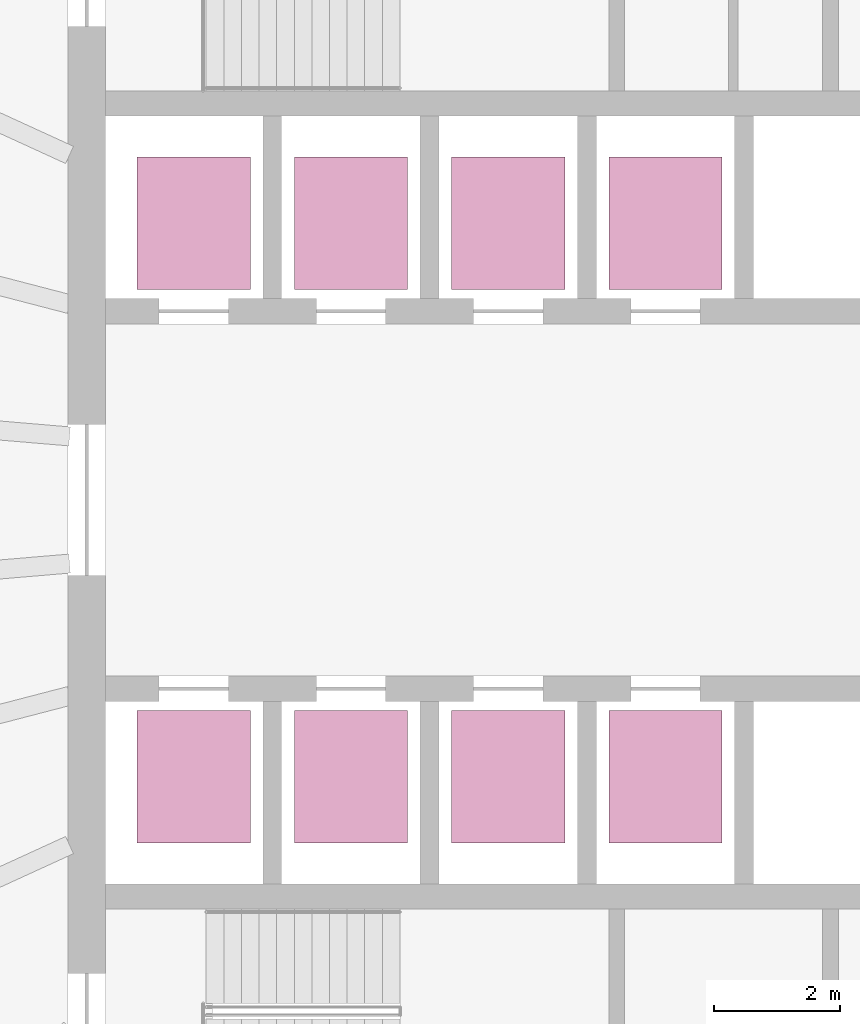
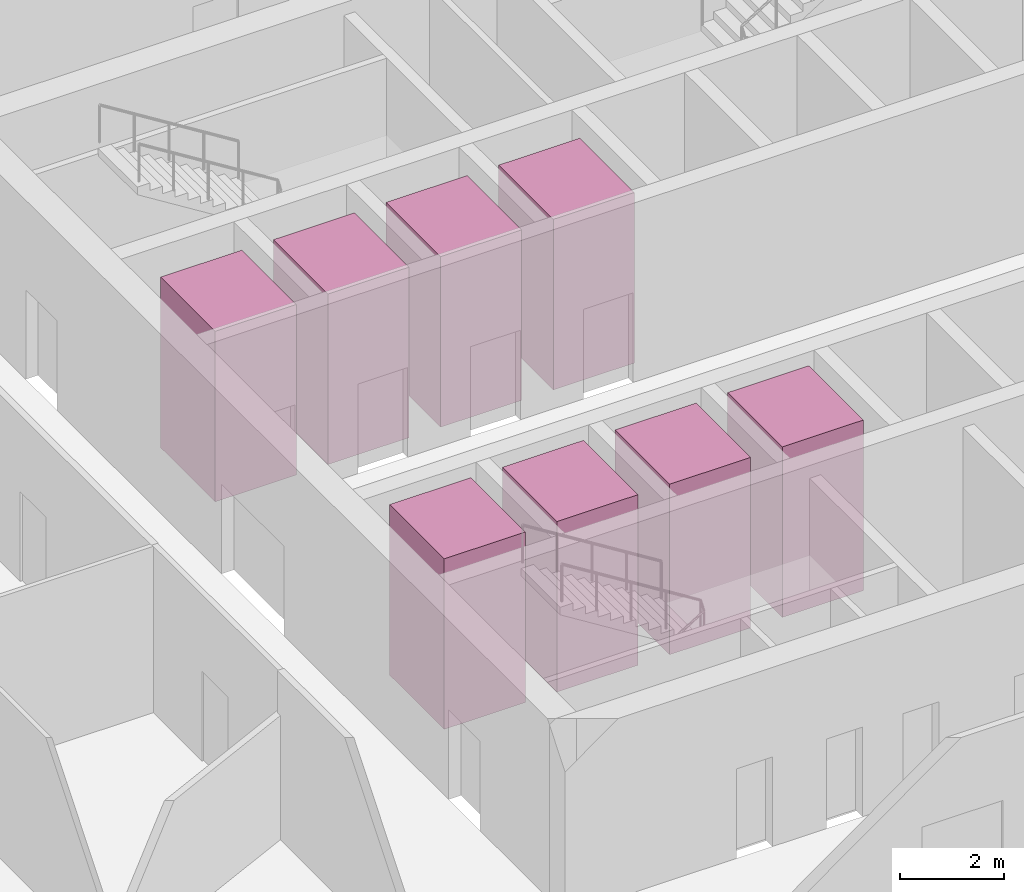
# One storey, part 10 of 10: 8 transport elements.
"""IFC4 building model written with IfcOpenShell, lengths in metres."""

from ifc_helpers import new_model, si_unit, direction, frame, origin, origin_2d, place, context, subcontext, project, spatial, rectangle, extrude, material, type_object, element, save


model = new_model("IFC4")

# Units and contexts
model_context = context("Model", 3, precision=1e-05, world=origin(), true_north=direction((0.0, 1.0)))
body_context = subcontext(model_context, "Body", "Model", "MODEL_VIEW")
ifc_project = project(units=[si_unit("LENGTHUNIT", "METRE"), si_unit("AREAUNIT", "SQUARE_METRE"), si_unit("VOLUMEUNIT", "CUBIC_METRE"), si_unit("PLANEANGLEUNIT", "RADIAN"), si_unit("MASSUNIT", "GRAM", prefix="KILO")], contexts=[model_context])

# Site, building, storey
site_placement = place(None, origin())
site = spatial("IfcSite", under=ifc_project, at=site_placement, CompositionType="ELEMENT")
building_placement = place(site_placement, origin())
building = spatial("IfcBuilding", under=site, at=building_placement, Name="Halqa Exchange Tower", CompositionType="ELEMENT")
storey_placement = place(building_placement, frame((0.0, 0.0, 69.699951171875)))
storey = spatial("IfcBuildingStorey", under=building, at=storey_placement, Name="L15", CompositionType="ELEMENT", Elevation=69.699951171875)

# Transport elements
ifc_material = material(Name="Stainless steel", Category="steel")
transport_element_type = type_object("IfcTransportElementType", Name="Low-rise passenger lift 1800 x 2100", PredefinedType="ELEVATOR", material=ifc_material)
for number, where, z_axis, x_axis, name in (
    (1, (-10.0, 4.39990234375, 0.0), (0.0, 0.0, 1.0), (1.0, 0.0, 0.0), "Low-rise passenger lift LR1"),
    (2, (-7.5, 4.39990234375, 0.0), (0.0, 0.0, 1.0), (1.0, 0.0, 0.0), "Low-rise passenger lift LR2"),
    (3, (-5.0, 4.39990234375, 0.0), (0.0, 0.0, 1.0), (1.0, 0.0, 0.0), "Low-rise passenger lift LR3"),
    (4, (-2.5, 4.39990234375, 0.0), (0.0, 0.0, 1.0), (1.0, 0.0, 0.0), "Low-rise passenger lift LR4"),
    (5, (-10.0, -4.39990234375, 0.0), (0.0, 0.0, 1.0), (1.0, 0.0, 0.0), "Low-rise passenger lift LR5"),
    (6, (-7.5, -4.39990234375, 0.0), (0.0, 0.0, 1.0), (1.0, 0.0, 0.0), "Low-rise passenger lift LR6"),
    (7, (-5.0, -4.39990234375, 0.0), (0.0, 0.0, 1.0), (1.0, 0.0, 0.0), "Low-rise passenger lift LR7"),
    (8, (-2.5, -4.39990234375, 0.0), (0.0, 0.0, 1.0), (1.0, 0.0, 0.0), "Low-rise passenger lift LR8"),
):
    element("IfcTransportElement", number, at=place(storey_placement, frame(where, z_axis=z_axis, x_axis=x_axis)), inside=storey, type_object=transport_element_type, Name=name, PredefinedType="ELEVATOR", context=body_context, shape_type="SweptSolid", body=[
        extrude(rectangle(XDim=1.800048828125, YDim=2.10009765625, at=origin_2d()), origin(), (0.0, 0.0, 1.0), 4.0),
    ])

save(model, "model.ifc")
